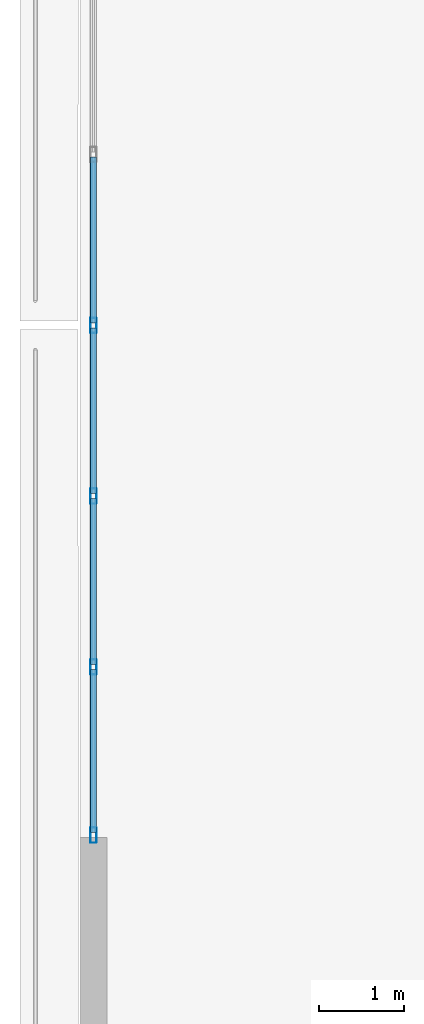
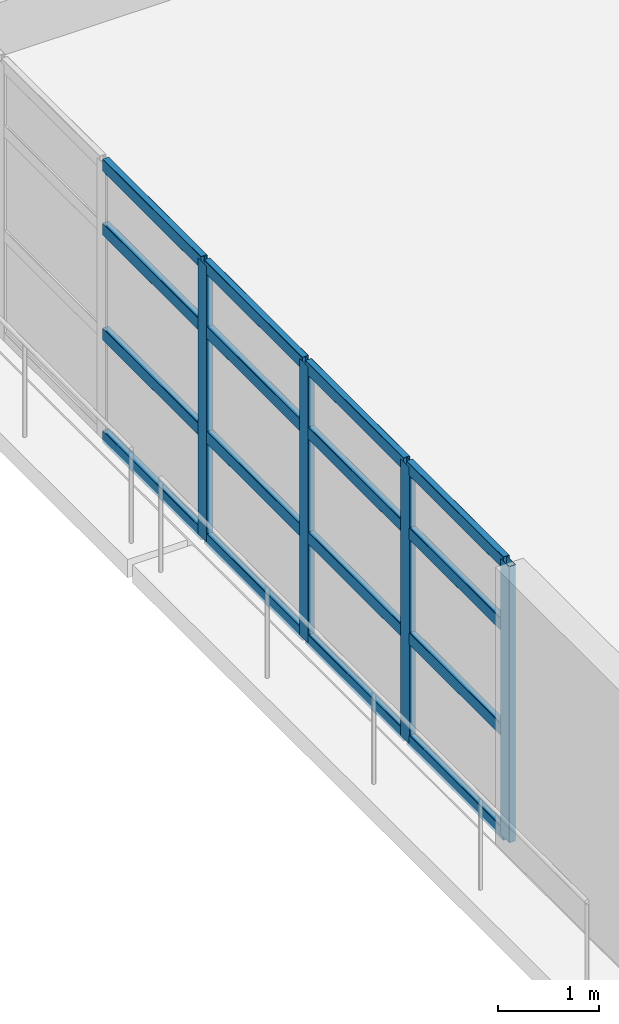
# One storey, part 4 of 23: 20 members, 1 element without a shape of its own.
"""IFC4 building model written with IfcOpenShell, lengths in metres."""

from ifc_helpers import new_model, si_unit, direction, frame, origin, origin_2d, place, context, subcontext, project, spatial, hollow_rectangle, extrude, material, layer, layer_set, material_profile, profile_set, type_object, element, aggregate, save


model = new_model("IFC4")

# Units and contexts
model_context = context("Model", 3, precision=1e-05, world=origin(), true_north=direction((0.0, 1.0)))
body_context = subcontext(model_context, "Body", "Model", "MODEL_VIEW")
ifc_project = project(units=[si_unit("LENGTHUNIT", "METRE"), si_unit("AREAUNIT", "SQUARE_METRE"), si_unit("VOLUMEUNIT", "CUBIC_METRE"), si_unit("PLANEANGLEUNIT", "RADIAN"), si_unit("MASSUNIT", "GRAM", prefix="KILO")], contexts=[model_context])

# Site, building, storey
site_placement = place(None, origin())
site = spatial("IfcSite", under=ifc_project, at=site_placement, CompositionType="ELEMENT")
building_placement = place(site_placement, origin())
building = spatial("IfcBuilding", under=site, at=building_placement, Name="Qingluan Cross Belvedere", CompositionType="ELEMENT")
storey_placement = place(building_placement, frame((0.0, 0.0, 10.199951171875)))
storey = spatial("IfcBuildingStorey", under=building, at=storey_placement, Name="L03", CompositionType="ELEMENT", Elevation=10.199951171875)

# Curtain wall, members
ifc_material_1 = material(Name="Thermally broken aluminium and Low-E glass", Category="aluminium")
ifc_layer = layer(ifc_material_1, 0.219970703125, Name="UnitisedCW_BallroomFoyer")
ifc_layer_set = layer_set([ifc_layer], Name="Thermally broken aluminium and Low-E glass")
curtain_wall_type = type_object("IfcCurtainWallType", Name="UnitisedCW_BallroomFoyer", PredefinedType="USERDEFINED", material=ifc_layer_set)
curtain_wall_placement = place(storey_placement, origin())
curtain_wall = element("IfcCurtainWall", 1, at=curtain_wall_placement, inside=storey, type_object=curtain_wall_type, Name="UnitisedCW_BallroomFoyer run env:cw:L03:W", ObjectType="UNITISED CURTAIN WALL", PredefinedType="USERDEFINED")
ifc_material_2 = material(Name="Aluminium alloy 6063-T6", Category="aluminium")
ifc_material_profile_1 = material_profile(ifc_material_2, hollow_rectangle(XDim=0.074951171875, YDim=0.179931640625, WallThickness=0.00390625, InnerFilletRadius=0.00390625, OuterFilletRadius=0.008056640625, at=origin_2d()), Name="CWM180x75x4")
ifc_profile_set_1 = profile_set([ifc_material_profile_1], Name="Aluminium alloy 6063-T6")
member_type_1 = type_object("IfcMemberType", Name="CWMullion_180", PredefinedType="MULLION", material=ifc_profile_set_1)
member_1_placement = place(storey_placement, frame((-37.639892578125, -5.969970703125, 0.0), z_axis=(0.0, 0.0, 1.0), x_axis=(-1.0, 0.0, 0.0)))
member_1 = element("IfcMember", 2, at=member_1_placement, type_object=member_type_1, Name="CW-P2 mullion 1", PredefinedType="MULLION", context=body_context, shape_type="SweptSolid", body=[
    extrude(hollow_rectangle(XDim=0.074951171875, YDim=0.179931640625, WallThickness=0.00390625, InnerFilletRadius=0.00390625, OuterFilletRadius=0.008056640625, at=origin_2d()), origin(), (0.0, 0.0, 1.0), 3.330078125),
])
member_2_placement = place(storey_placement, frame((-37.639892578125, -4.0, 0.0), z_axis=(0.0, 0.0, 1.0), x_axis=(-1.0, 0.0, 0.0)))
member_2 = element("IfcMember", 3, at=member_2_placement, type_object=member_type_1, Name="CW-P2 mullion 2", PredefinedType="MULLION", context=body_context, shape_type="SweptSolid", body=[
    extrude(hollow_rectangle(XDim=0.074951171875, YDim=0.179931640625, WallThickness=0.00390625, InnerFilletRadius=0.00390625, OuterFilletRadius=0.008056640625, at=origin_2d()), origin(), (0.0, 0.0, 1.0), 3.330078125),
])
member_3_placement = place(storey_placement, frame((-37.639892578125, -2.0, 0.0), z_axis=(0.0, 0.0, 1.0), x_axis=(-1.0, 0.0, 0.0)))
member_3 = element("IfcMember", 4, at=member_3_placement, type_object=member_type_1, Name="CW-P2 mullion 3", PredefinedType="MULLION", context=body_context, shape_type="SweptSolid", body=[
    extrude(hollow_rectangle(XDim=0.074951171875, YDim=0.179931640625, WallThickness=0.00390625, InnerFilletRadius=0.00390625, OuterFilletRadius=0.008056640625, at=origin_2d()), origin(), (0.0, 0.0, 1.0), 3.330078125),
])
member_4_placement = place(storey_placement, frame((-37.639892578125, 0.0, 0.0), z_axis=(0.0, 0.0, 1.0), x_axis=(-1.0, 0.0, 0.0)))
member_4 = element("IfcMember", 5, at=member_4_placement, type_object=member_type_1, Name="CW-P2 mullion 4", PredefinedType="MULLION", context=body_context, shape_type="SweptSolid", body=[
    extrude(hollow_rectangle(XDim=0.074951171875, YDim=0.179931640625, WallThickness=0.00390625, InnerFilletRadius=0.00390625, OuterFilletRadius=0.008056640625, at=origin_2d()), origin(), (0.0, 0.0, 1.0), 3.330078125),
])
ifc_material_3 = material(Name="Aluminium alloy 6063-T6", Category="aluminium")
ifc_material_profile_2 = material_profile(ifc_material_3, hollow_rectangle(XDim=0.074951171875, YDim=0.14990234375, WallThickness=0.00390625, InnerFilletRadius=0.00390625, OuterFilletRadius=0.008056640625, at=origin_2d()), Name="CWT150x75x4")
ifc_profile_set_2 = profile_set([ifc_material_profile_2], Name="Aluminium alloy 6063-T6")
member_type_2 = type_object("IfcMemberType", Name="CWTransom_150", PredefinedType="USERDEFINED", material=ifc_profile_set_2)
member_5_placement = place(storey_placement, frame((-37.639892578125, -5.93994140625, 0.030029296875), z_axis=(0.0, 1.0, 0.0), x_axis=(-1.0, 0.0, 0.0)))
member_5 = element("IfcMember", 6, at=member_5_placement, type_object=member_type_2, Name="CW-P2 transom 1.1", ObjectType="TRANSOM", PredefinedType="USERDEFINED", context=body_context, shape_type="SweptSolid", body=[
    extrude(hollow_rectangle(XDim=0.074951171875, YDim=0.14990234375, WallThickness=0.00390625, InnerFilletRadius=0.00390625, OuterFilletRadius=0.008056640625, at=origin_2d()), origin(), (0.0, 0.0, 1.0), 1.909912109375),
])
member_6_placement = place(storey_placement, frame((-37.639892578125, -5.93994140625, 1.26513671875), z_axis=(0.0, 1.0, 0.0), x_axis=(-1.0, 0.0, 0.0)))
member_6 = element("IfcMember", 7, at=member_6_placement, type_object=member_type_2, Name="CW-P2 transom 1.2", ObjectType="TRANSOM", PredefinedType="USERDEFINED", context=body_context, shape_type="SweptSolid", body=[
    extrude(hollow_rectangle(XDim=0.074951171875, YDim=0.14990234375, WallThickness=0.00390625, InnerFilletRadius=0.00390625, OuterFilletRadius=0.008056640625, at=origin_2d()), origin(), (0.0, 0.0, 1.0), 1.909912109375),
])
member_7_placement = place(storey_placement, frame((-37.639892578125, -5.93994140625, 2.531005859375), z_axis=(0.0, 1.0, 0.0), x_axis=(-1.0, 0.0, 0.0)))
member_7 = element("IfcMember", 8, at=member_7_placement, type_object=member_type_2, Name="CW-P2 transom 1.3", ObjectType="TRANSOM", PredefinedType="USERDEFINED", context=body_context, shape_type="SweptSolid", body=[
    extrude(hollow_rectangle(XDim=0.074951171875, YDim=0.14990234375, WallThickness=0.00390625, InnerFilletRadius=0.00390625, OuterFilletRadius=0.008056640625, at=origin_2d()), origin(), (0.0, 0.0, 1.0), 1.909912109375),
])
member_8_placement = place(storey_placement, frame((-37.639892578125, -5.93994140625, 3.300048828125), z_axis=(0.0, 1.0, 0.0), x_axis=(-1.0, 0.0, 0.0)))
member_8 = element("IfcMember", 9, at=member_8_placement, type_object=member_type_2, Name="CW-P2 transom 1.4", ObjectType="TRANSOM", PredefinedType="USERDEFINED", context=body_context, shape_type="SweptSolid", body=[
    extrude(hollow_rectangle(XDim=0.074951171875, YDim=0.14990234375, WallThickness=0.00390625, InnerFilletRadius=0.00390625, OuterFilletRadius=0.008056640625, at=origin_2d()), origin(), (0.0, 0.0, 1.0), 1.909912109375),
])
member_9_placement = place(storey_placement, frame((-37.639892578125, -3.969970703125, 0.030029296875), z_axis=(0.0, 1.0, 0.0), x_axis=(-1.0, 0.0, 0.0)))
member_9 = element("IfcMember", 10, at=member_9_placement, type_object=member_type_2, Name="CW-P2 transom 2.1", ObjectType="TRANSOM", PredefinedType="USERDEFINED", context=body_context, shape_type="SweptSolid", body=[
    extrude(hollow_rectangle(XDim=0.074951171875, YDim=0.14990234375, WallThickness=0.00390625, InnerFilletRadius=0.00390625, OuterFilletRadius=0.008056640625, at=origin_2d()), origin(), (0.0, 0.0, 1.0), 1.93994140625),
])
member_10_placement = place(storey_placement, frame((-37.639892578125, -3.969970703125, 1.26513671875), z_axis=(0.0, 1.0, 0.0), x_axis=(-1.0, 0.0, 0.0)))
member_10 = element("IfcMember", 11, at=member_10_placement, type_object=member_type_2, Name="CW-P2 transom 2.2", ObjectType="TRANSOM", PredefinedType="USERDEFINED", context=body_context, shape_type="SweptSolid", body=[
    extrude(hollow_rectangle(XDim=0.074951171875, YDim=0.14990234375, WallThickness=0.00390625, InnerFilletRadius=0.00390625, OuterFilletRadius=0.008056640625, at=origin_2d()), origin(), (0.0, 0.0, 1.0), 1.93994140625),
])
member_11_placement = place(storey_placement, frame((-37.639892578125, -3.969970703125, 2.531005859375), z_axis=(0.0, 1.0, 0.0), x_axis=(-1.0, 0.0, 0.0)))
member_11 = element("IfcMember", 12, at=member_11_placement, type_object=member_type_2, Name="CW-P2 transom 2.3", ObjectType="TRANSOM", PredefinedType="USERDEFINED", context=body_context, shape_type="SweptSolid", body=[
    extrude(hollow_rectangle(XDim=0.074951171875, YDim=0.14990234375, WallThickness=0.00390625, InnerFilletRadius=0.00390625, OuterFilletRadius=0.008056640625, at=origin_2d()), origin(), (0.0, 0.0, 1.0), 1.93994140625),
])
member_12_placement = place(storey_placement, frame((-37.639892578125, -3.969970703125, 3.300048828125), z_axis=(0.0, 1.0, 0.0), x_axis=(-1.0, 0.0, 0.0)))
member_12 = element("IfcMember", 13, at=member_12_placement, type_object=member_type_2, Name="CW-P2 transom 2.4", ObjectType="TRANSOM", PredefinedType="USERDEFINED", context=body_context, shape_type="SweptSolid", body=[
    extrude(hollow_rectangle(XDim=0.074951171875, YDim=0.14990234375, WallThickness=0.00390625, InnerFilletRadius=0.00390625, OuterFilletRadius=0.008056640625, at=origin_2d()), origin(), (0.0, 0.0, 1.0), 1.93994140625),
])
member_13_placement = place(storey_placement, frame((-37.639892578125, -1.969970703125, 0.030029296875), z_axis=(0.0, 1.0, 0.0), x_axis=(-1.0, 0.0, 0.0)))
member_13 = element("IfcMember", 14, at=member_13_placement, type_object=member_type_2, Name="CW-P2 transom 3.1", ObjectType="TRANSOM", PredefinedType="USERDEFINED", context=body_context, shape_type="SweptSolid", body=[
    extrude(hollow_rectangle(XDim=0.074951171875, YDim=0.14990234375, WallThickness=0.00390625, InnerFilletRadius=0.00390625, OuterFilletRadius=0.008056640625, at=origin_2d()), origin(), (0.0, 0.0, 1.0), 1.93994140625),
])
member_14_placement = place(storey_placement, frame((-37.639892578125, -1.969970703125, 1.26513671875), z_axis=(0.0, 1.0, 0.0), x_axis=(-1.0, 0.0, 0.0)))
member_14 = element("IfcMember", 15, at=member_14_placement, type_object=member_type_2, Name="CW-P2 transom 3.2", ObjectType="TRANSOM", PredefinedType="USERDEFINED", context=body_context, shape_type="SweptSolid", body=[
    extrude(hollow_rectangle(XDim=0.074951171875, YDim=0.14990234375, WallThickness=0.00390625, InnerFilletRadius=0.00390625, OuterFilletRadius=0.008056640625, at=origin_2d()), origin(), (0.0, 0.0, 1.0), 1.93994140625),
])
member_15_placement = place(storey_placement, frame((-37.639892578125, -1.969970703125, 2.531005859375), z_axis=(0.0, 1.0, 0.0), x_axis=(-1.0, 0.0, 0.0)))
member_15 = element("IfcMember", 16, at=member_15_placement, type_object=member_type_2, Name="CW-P2 transom 3.3", ObjectType="TRANSOM", PredefinedType="USERDEFINED", context=body_context, shape_type="SweptSolid", body=[
    extrude(hollow_rectangle(XDim=0.074951171875, YDim=0.14990234375, WallThickness=0.00390625, InnerFilletRadius=0.00390625, OuterFilletRadius=0.008056640625, at=origin_2d()), origin(), (0.0, 0.0, 1.0), 1.93994140625),
])
member_16_placement = place(storey_placement, frame((-37.639892578125, -1.969970703125, 3.300048828125), z_axis=(0.0, 1.0, 0.0), x_axis=(-1.0, 0.0, 0.0)))
member_16 = element("IfcMember", 17, at=member_16_placement, type_object=member_type_2, Name="CW-P2 transom 3.4", ObjectType="TRANSOM", PredefinedType="USERDEFINED", context=body_context, shape_type="SweptSolid", body=[
    extrude(hollow_rectangle(XDim=0.074951171875, YDim=0.14990234375, WallThickness=0.00390625, InnerFilletRadius=0.00390625, OuterFilletRadius=0.008056640625, at=origin_2d()), origin(), (0.0, 0.0, 1.0), 1.93994140625),
])
member_17_placement = place(storey_placement, frame((-37.639892578125, 0.030029296875, 0.030029296875), z_axis=(0.0, 1.0, 0.0), x_axis=(-1.0, 0.0, 0.0)))
member_17 = element("IfcMember", 18, at=member_17_placement, type_object=member_type_2, Name="CW-P2 transom 4.1", ObjectType="TRANSOM", PredefinedType="USERDEFINED", context=body_context, shape_type="SweptSolid", body=[
    extrude(hollow_rectangle(XDim=0.074951171875, YDim=0.14990234375, WallThickness=0.00390625, InnerFilletRadius=0.00390625, OuterFilletRadius=0.008056640625, at=origin_2d()), origin(), (0.0, 0.0, 1.0), 1.93994140625),
])
member_18_placement = place(storey_placement, frame((-37.639892578125, 0.030029296875, 1.26513671875), z_axis=(0.0, 1.0, 0.0), x_axis=(-1.0, 0.0, 0.0)))
member_18 = element("IfcMember", 19, at=member_18_placement, type_object=member_type_2, Name="CW-P2 transom 4.2", ObjectType="TRANSOM", PredefinedType="USERDEFINED", context=body_context, shape_type="SweptSolid", body=[
    extrude(hollow_rectangle(XDim=0.074951171875, YDim=0.14990234375, WallThickness=0.00390625, InnerFilletRadius=0.00390625, OuterFilletRadius=0.008056640625, at=origin_2d()), origin(), (0.0, 0.0, 1.0), 1.93994140625),
])
member_19_placement = place(storey_placement, frame((-37.639892578125, 0.030029296875, 2.531005859375), z_axis=(0.0, 1.0, 0.0), x_axis=(-1.0, 0.0, 0.0)))
member_19 = element("IfcMember", 20, at=member_19_placement, type_object=member_type_2, Name="CW-P2 transom 4.3", ObjectType="TRANSOM", PredefinedType="USERDEFINED", context=body_context, shape_type="SweptSolid", body=[
    extrude(hollow_rectangle(XDim=0.074951171875, YDim=0.14990234375, WallThickness=0.00390625, InnerFilletRadius=0.00390625, OuterFilletRadius=0.008056640625, at=origin_2d()), origin(), (0.0, 0.0, 1.0), 1.93994140625),
])
member_20_placement = place(storey_placement, frame((-37.639892578125, 0.030029296875, 3.300048828125), z_axis=(0.0, 1.0, 0.0), x_axis=(-1.0, 0.0, 0.0)))
member_20 = element("IfcMember", 21, at=member_20_placement, type_object=member_type_2, Name="CW-P2 transom 4.4", ObjectType="TRANSOM", PredefinedType="USERDEFINED", context=body_context, shape_type="SweptSolid", body=[
    extrude(hollow_rectangle(XDim=0.074951171875, YDim=0.14990234375, WallThickness=0.00390625, InnerFilletRadius=0.00390625, OuterFilletRadius=0.008056640625, at=origin_2d()), origin(), (0.0, 0.0, 1.0), 1.93994140625),
])
aggregate(curtain_wall, [member_1, member_2, member_3, member_4, member_5, member_6, member_7, member_8, member_9, member_10, member_11, member_12, member_13, member_14, member_15, member_16, member_17, member_18, member_19, member_20])

save(model, "model.ifc")
